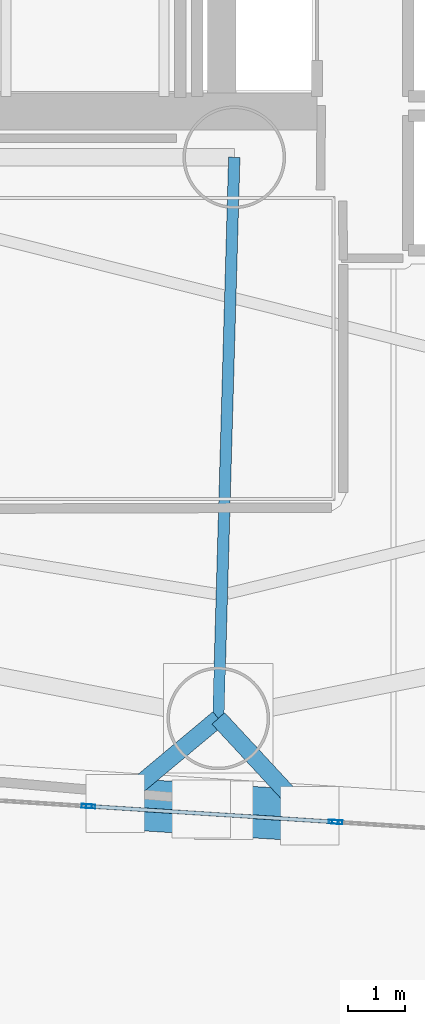
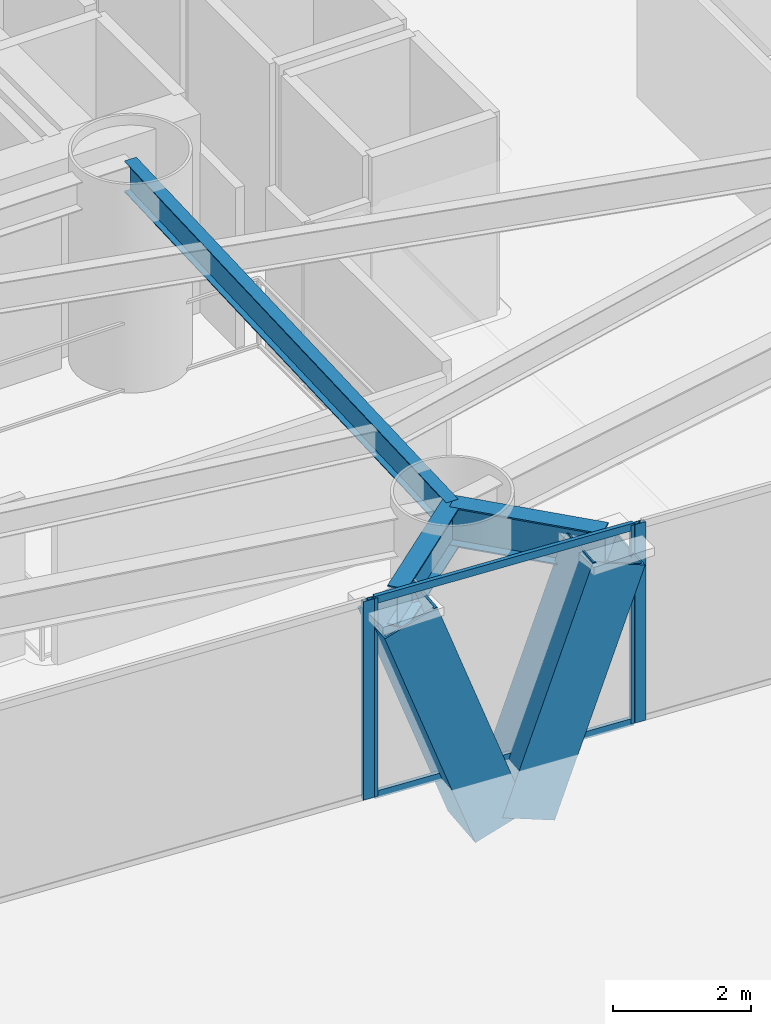
# One storey, part 4 of 22: 8 members, 3 beams, 3 elements without a shape of their own.
"""IFC4 building model written with IfcOpenShell, lengths in metres."""

from ifc_helpers import new_model, si_unit, direction, frame, origin, origin_2d, place, context, subcontext, project, spatial, hollow_rectangle, i_section, extrude, material, layer, layer_set, material_profile, profile_set, type_object, element, aggregate, save


model = new_model("IFC4")

# Units and contexts
model_context = context("Model", 3, precision=1e-05, world=origin(), true_north=direction((0.0, 1.0)))
body_context = subcontext(model_context, "Body", "Model", "MODEL_VIEW")
ifc_project = project(units=[si_unit("LENGTHUNIT", "METRE"), si_unit("AREAUNIT", "SQUARE_METRE"), si_unit("VOLUMEUNIT", "CUBIC_METRE"), si_unit("PLANEANGLEUNIT", "RADIAN"), si_unit("MASSUNIT", "GRAM", prefix="KILO")], contexts=[model_context])

# Site, building, storey
site_placement = place(None, origin())
site = spatial("IfcSite", under=ifc_project, at=site_placement, CompositionType="ELEMENT")
building_placement = place(site_placement, origin())
building = spatial("IfcBuilding", under=site, at=building_placement, Name="Qianvela Tower", CompositionType="ELEMENT")
storey_placement = place(building_placement, frame((0.0, 0.0, 25.699951171875)))
storey = spatial("IfcBuildingStorey", under=building, at=storey_placement, Name="L05", CompositionType="ELEMENT", Elevation=25.699951171875)

# Beams
ifc_material_1 = material(Name="Steel Q355B", Category="steel")
ifc_material_profile_1 = material_profile(ifc_material_1, i_section(OverallWidth=0.199951171875, OverallDepth=0.550048828125, WebThickness=0.010009765625, FlangeThickness=0.01611328125, at=origin_2d()), Name="HN550x200x10x16")
ifc_profile_set_1 = profile_set([ifc_material_profile_1], Name="Steel Q355B")
beam_type_1 = type_object("IfcBeamType", Name="BM-HN550-GIRD", PredefinedType="BEAM", material=ifc_profile_set_1)
beam_placement = place(storey_placement, frame((38.39990234375, 23.85009765625, 3.2431640625), z_axis=(-0.028439336302, -0.999595520273, 0.0), x_axis=(0.999595520273, -0.028439336302, 0.0)))
element("IfcBeam", 1, at=beam_placement, inside=storey, type_object=beam_type_1, Name="L05 Radial Primary Floor Girder 6", PredefinedType="BEAM", context=body_context, shape_type="SweptSolid", body=[
    extrude(i_section(OverallWidth=0.199951171875, OverallDepth=0.550048828125, WebThickness=0.010009765625, FlangeThickness=0.01611328125, at=origin_2d()), origin(), (0.0, 0.0, 1.0), 9.837890625),
])
ifc_material_2 = material(Name="Steel Q355B", Category="steel")
ifc_material_profile_2 = material_profile(ifc_material_2, i_section(OverallWidth=0.300048828125, OverallDepth=0.699951171875, WebThickness=0.012939453125, FlangeThickness=0.02392578125, at=origin_2d()), Name="HN700x300x13x24")
ifc_profile_set_2 = profile_set([ifc_material_profile_2], Name="Steel Q355B")
beam_type_2 = type_object("IfcBeamType", Name="BM-HN700-SPAND", PredefinedType="SPANDREL", material=ifc_profile_set_2)
for number, where, z_axis, x_axis, name in (
    (2, (38.1201171875, 14.01611328125, 3.16796875), (-0.767489178467, -0.641061901018, 0.0), (0.641061901018, -0.767489178467, 0.0), "L05 Mega-Brace Column Tie Bracket F3-1"),
    (3, (38.1201171875, 14.01611328125, 3.16796875), (0.679822526715, -0.733376664594, 0.0), (0.733376664594, 0.679822526715, 0.0), "L05 Mega-Brace Column Tie Bracket F3-2"),
):
    element("IfcBeam", number, at=place(storey_placement, frame(where, z_axis=z_axis, x_axis=x_axis)), inside=storey, type_object=beam_type_2, Name=name, PredefinedType="SPANDREL", context=body_context, shape_type="SweptSolid", body=[
        extrude(i_section(OverallWidth=0.300048828125, OverallDepth=0.699951171875, WebThickness=0.012939453125, FlangeThickness=0.02392578125, at=origin_2d()), origin(), (0.0, 0.0, 1.0), 2.324951171875),
    ])

# Curtain wall, members
ifc_material_3 = material(Name="Anodised Architectural Aluminium and Insulated Spandrel Panel", Category="aluminium")
ifc_layer_1 = layer(ifc_material_3, 0.179931640625)
ifc_layer_set_1 = layer_set([ifc_layer_1], Name="Anodised Architectural Aluminium and Insulated Spandrel Panel")
curtain_wall_type_1 = type_object("IfcCurtainWallType", Name="CW-BRACEBAY", PredefinedType="USERDEFINED", material=ifc_layer_set_1)
curtain_wall_1_placement = place(storey_placement, origin())
curtain_wall_1 = element("IfcCurtainWall", 4, at=curtain_wall_1_placement, inside=storey, type_object=curtain_wall_type_1, Name="L05 CW-BRACEBAY Curtain Wall 06B", ObjectType="CURTAIN_WALL_SYSTEM", PredefinedType="USERDEFINED")
ifc_material_4 = material(Name="Anodised Architectural Aluminium 6063-T6", Category="aluminium")
ifc_material_profile_3 = material_profile(ifc_material_4, hollow_rectangle(XDim=0.06494140625, YDim=0.159912109375, WallThickness=0.0048828125, at=origin_2d()), Name="ALU-MULL-65x160")
ifc_profile_set_3 = profile_set([ifc_material_profile_3], Name="Anodised Architectural Aluminium 6063-T6")
member_type_1 = type_object("IfcMemberType", Name="CW-BRACEBAY-MULL", PredefinedType="MULLION", material=ifc_profile_set_3)
member_1_placement = place(storey_placement, frame((35.88134765625, 12.474365234375, 0.0), z_axis=(0.0, 0.0, 1.0), x_axis=(0.06360178955, 0.997975356593, 0.0)))
member_1 = element("IfcMember", 5, at=member_1_placement, type_object=member_type_1, Name="CW-9 mullion 1", PredefinedType="MULLION", context=body_context, shape_type="SweptSolid", body=[
    extrude(hollow_rectangle(XDim=0.06494140625, YDim=0.159912109375, WallThickness=0.0048828125, at=origin_2d()), origin(), (0.0, 0.0, 1.0), 3.52001953125),
])
member_2_placement = place(storey_placement, frame((40.1376953125, 12.203125, 0.0), z_axis=(0.0, 0.0, 1.0), x_axis=(0.06360178955, 0.997975356593, 0.0)))
member_2 = element("IfcMember", 6, at=member_2_placement, type_object=member_type_1, Name="CW-9 mullion 2", PredefinedType="MULLION", context=body_context, shape_type="SweptSolid", body=[
    extrude(hollow_rectangle(XDim=0.06494140625, YDim=0.159912109375, WallThickness=0.0048828125, at=origin_2d()), origin(), (0.0, 0.0, 1.0), 3.52001953125),
])
ifc_material_5 = material(Name="Anodised Architectural Aluminium 6063-T6", Category="aluminium")
ifc_material_profile_4 = material_profile(ifc_material_5, hollow_rectangle(XDim=0.06494140625, YDim=0.1298828125, WallThickness=0.00439453125, at=origin_2d()), Name="ALU-TRAN-65x130")
ifc_profile_set_4 = profile_set([ifc_material_profile_4], Name="Anodised Architectural Aluminium 6063-T6")
member_type_2 = type_object("IfcMemberType", Name="CW-BRACEBAY-TRAN", PredefinedType="USERDEFINED", material=ifc_profile_set_4)
member_3_placement = place(storey_placement, frame((35.913818359375, 12.47216796875, 0.032470703125), z_axis=(0.997975838982, -0.063594219935, 0.0), x_axis=(0.063594219935, 0.997975838982, 0.0)))
member_3 = element("IfcMember", 7, at=member_3_placement, type_object=member_type_2, Name="CW-9 transom 1.1", ObjectType="TRANSOM", PredefinedType="USERDEFINED", context=body_context, shape_type="SweptSolid", body=[
    extrude(hollow_rectangle(XDim=0.06494140625, YDim=0.1298828125, WallThickness=0.00439453125, at=origin_2d()), origin(), (0.0, 0.0, 1.0), 4.199951171875),
])
member_4_placement = place(storey_placement, frame((35.913818359375, 12.47216796875, 3.487548828125), z_axis=(0.997975838982, -0.063594219935, 0.0), x_axis=(0.063594219935, 0.997975838982, 0.0)))
member_4 = element("IfcMember", 8, at=member_4_placement, type_object=member_type_2, Name="CW-9 transom 1.2", ObjectType="TRANSOM", PredefinedType="USERDEFINED", context=body_context, shape_type="SweptSolid", body=[
    extrude(hollow_rectangle(XDim=0.06494140625, YDim=0.1298828125, WallThickness=0.00439453125, at=origin_2d()), origin(), (0.0, 0.0, 1.0), 4.199951171875),
])
aggregate(curtain_wall_1, [member_1, member_2, member_3, member_4])

# Curtain wall, member
ifc_material_6 = material(Name="Anodised Architectural Aluminium and Low-E Glass", Category="aluminium")
ifc_layer_2 = layer(ifc_material_6, 0.179931640625)
ifc_layer_set_2 = layer_set([ifc_layer_2], Name="Anodised Architectural Aluminium and Low-E Glass")
curtain_wall_type_2 = type_object("IfcCurtainWallType", Name="CW-COLIV-Z12", PredefinedType="USERDEFINED", material=ifc_layer_set_2)
curtain_wall_2_placement = place(storey_placement, origin())
curtain_wall_2 = element("IfcCurtainWall", 9, at=curtain_wall_2_placement, inside=storey, type_object=curtain_wall_type_2, Name="L05 CW-COLIV-Z12 Curtain Wall 06A", ObjectType="CURTAIN_WALL_SYSTEM", PredefinedType="USERDEFINED")
ifc_material_7 = material(Name="Anodised Architectural Aluminium 6063-T6", Category="aluminium")
ifc_material_profile_5 = material_profile(ifc_material_7, hollow_rectangle(XDim=0.070068359375, YDim=0.179931640625, WallThickness=0.0048828125, at=origin_2d()), Name="ALU-MULL-70x180")
ifc_profile_set_5 = profile_set([ifc_material_profile_5], Name="Anodised Architectural Aluminium 6063-T6")
member_type_3 = type_object("IfcMemberType", Name="CW-COLIV-Z12-MULL", PredefinedType="MULLION", material=ifc_profile_set_5)
member_5_placement = place(storey_placement, frame((35.81396484375, 12.478515625, 0.0), z_axis=(0.0, 0.0, 1.0), x_axis=(0.063609696481, 0.997974852646, 0.0)))
member_5 = element("IfcMember", 10, at=member_5_placement, type_object=member_type_3, Name="CW-3 mullion 2", PredefinedType="MULLION", context=body_context, shape_type="SweptSolid", body=[
    extrude(hollow_rectangle(XDim=0.070068359375, YDim=0.179931640625, WallThickness=0.0048828125, at=origin_2d()), origin(), (0.0, 0.0, 1.0), 3.52001953125),
])
aggregate(curtain_wall_2, [member_5])

curtain_wall_3_placement = place(storey_placement, origin())
curtain_wall_3 = element("IfcCurtainWall", 11, at=curtain_wall_3_placement, inside=storey, type_object=curtain_wall_type_2, Name="L05 CW-COLIV-Z12 Curtain Wall 06C", ObjectType="CURTAIN_WALL_SYSTEM", PredefinedType="USERDEFINED")
member_6_placement = place(storey_placement, frame((40.205078125, 12.19873046875, 0.0), z_axis=(0.0, 0.0, 1.0), x_axis=(0.063608399994, 0.997974935282, 0.0)))
member_6 = element("IfcMember", 12, at=member_6_placement, type_object=member_type_3, Name="CW-3 mullion 1", PredefinedType="MULLION", context=body_context, shape_type="SweptSolid", body=[
    extrude(hollow_rectangle(XDim=0.070068359375, YDim=0.179931640625, WallThickness=0.0048828125, at=origin_2d()), origin(), (0.0, 0.0, 1.0), 3.52001953125),
])
aggregate(curtain_wall_3, [member_6])

# Members
ifc_material_8 = material(Name="Steel Q420GJC", Category="steel")
ifc_material_profile_6 = material_profile(ifc_material_8, hollow_rectangle(XDim=0.89990234375, YDim=0.89990234375, WallThickness=0.035888671875, at=origin_2d()), Name="MBOX-900x900x36")
ifc_profile_set_6 = profile_set([ifc_material_profile_6], Name="Steel Q420GJC")
member_type_4 = type_object("IfcMemberType", Name="MBR-MBRACE-900", PredefinedType="BRACE", material=ifc_profile_set_6)
for number, where, z_axis, x_axis, name in (
    (13, (37.798583984375, 12.432373046875, -0.90185546875), (-0.33818103338, 0.021559605266, 0.940834083185), (-0.063622510295, -0.997974035826, 0.0), "L05 Tier 1 Exterior Mega-Brace F3A"),
    (14, (38.23779296875, 12.404296875, -0.90185546875), (0.33818103338, -0.021559605266, 0.940834083185), (0.063622510295, 0.997974035826, 0.0), "L05 Tier 1 Exterior Mega-Brace F3B"),
):
    element("IfcMember", number, at=place(storey_placement, frame(where, z_axis=z_axis, x_axis=x_axis)), inside=storey, type_object=member_type_4, Name=name, PredefinedType="BRACE", context=body_context, shape_type="SweptSolid", body=[
        extrude(hollow_rectangle(XDim=0.89990234375, YDim=0.89990234375, WallThickness=0.035888671875, at=origin_2d()), origin(), (0.0, 0.0, 1.0), 4.32568359375),
    ])

save(model, "model.ifc")
